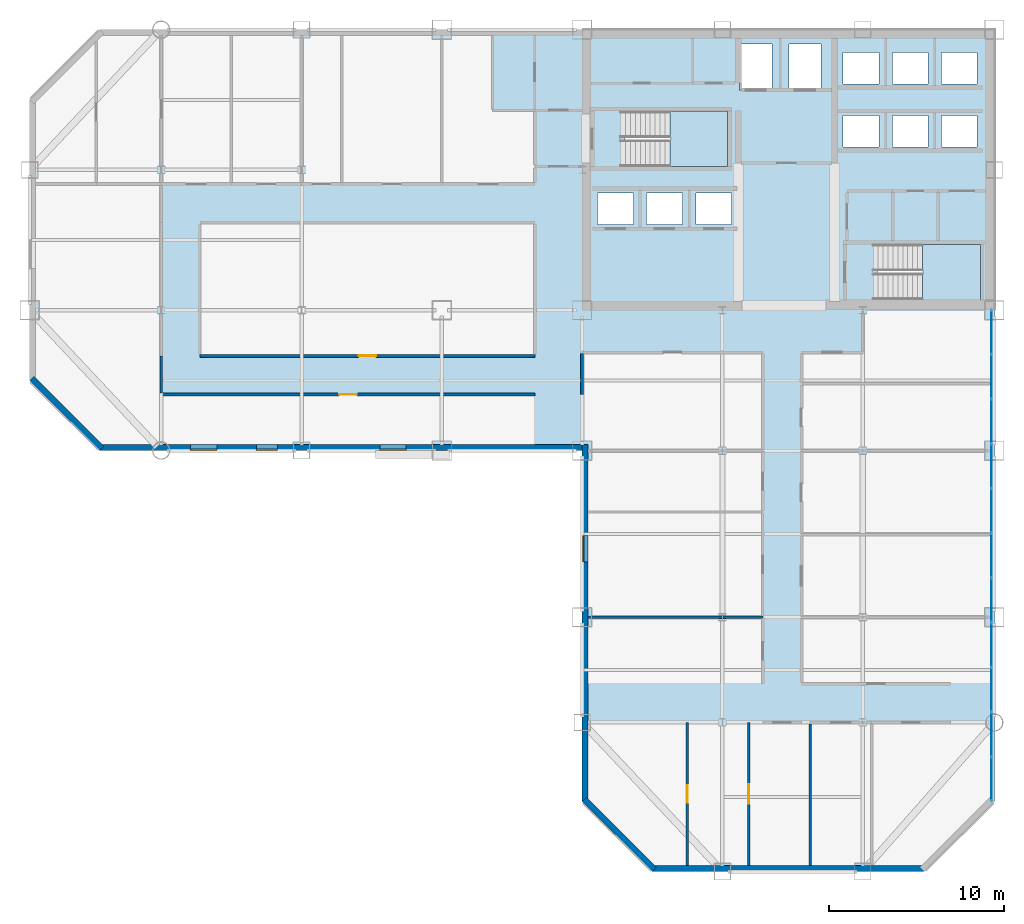
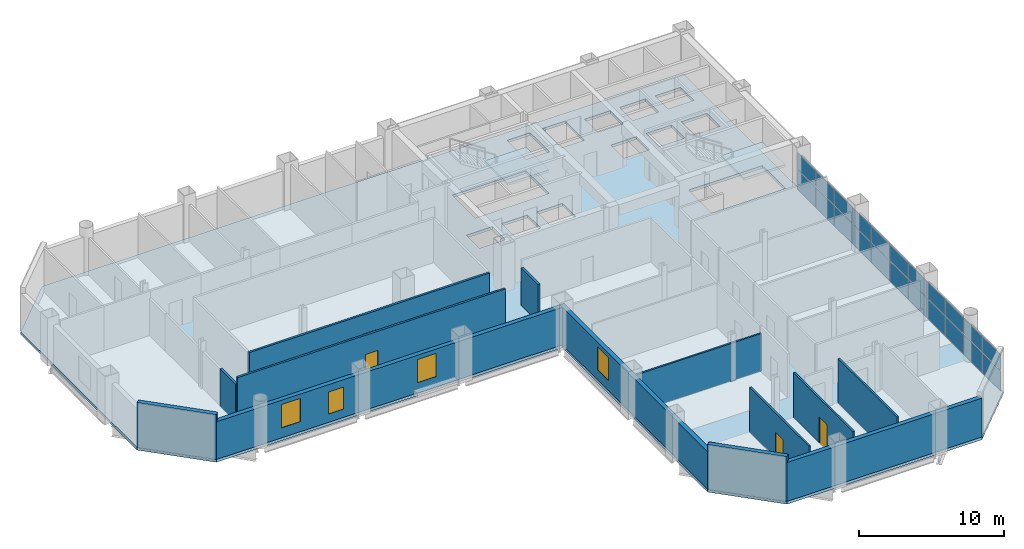
# One storey, part 11 of 16: 22 plates, 13 walls, 4 doors, 4 windows, 3 slabs, 8 openings, 3 elements without a shape of their own.
"""IFC4 building model written with IfcOpenShell, lengths in metres."""

from ifc_helpers import new_model, si_unit, direction, frame, frame_2d, origin, origin_2d, place, context, subcontext, project, spatial, polyline, rectangle, outline, extrude, material, layer, layer_set, type_object, element, fill, aggregate, save


model = new_model("IFC4")

# Units and contexts
model_context = context("Model", 3, precision=1e-05, world=origin(), true_north=direction((0.0, 1.0)))
body_context = subcontext(model_context, "Body", "Model", "MODEL_VIEW")
ifc_project = project(units=[si_unit("LENGTHUNIT", "METRE"), si_unit("AREAUNIT", "SQUARE_METRE"), si_unit("VOLUMEUNIT", "CUBIC_METRE"), si_unit("PLANEANGLEUNIT", "RADIAN"), si_unit("MASSUNIT", "GRAM", prefix="KILO")], contexts=[model_context])

# Site, building, storey
site_placement = place(None, origin())
site = spatial("IfcSite", under=ifc_project, at=site_placement, CompositionType="ELEMENT")
building_placement = place(site_placement, origin())
building = spatial("IfcBuilding", under=site, at=building_placement, Name="Qianrong Seaharbour Tower", CompositionType="ELEMENT")
storey_placement = place(building_placement, frame((0.0, 0.0, 127.0)))
storey = spatial("IfcBuildingStorey", under=building, at=storey_placement, Name="L30", CompositionType="ELEMENT", Elevation=127.0)

# Curtain wall, plates
ifc_material_1 = material(Name="Anodised aluminium 6063-T6 and laminated low-e glass", Category="aluminium")
ifc_layer_1 = layer(ifc_material_1, 0.195068359375)
ifc_layer_set_1 = layer_set([ifc_layer_1], Name="Anodised aluminium 6063-T6 and laminated low-e glass")
curtain_wall_type = type_object("IfcCurtainWallType", Name="CW-SYS-3", PredefinedType="NOTDEFINED", material=ifc_layer_set_1)
curtain_wall_placement = place(storey_placement, origin())
curtain_wall = element("IfcCurtainWall", 1, at=curtain_wall_placement, inside=storey, type_object=curtain_wall_type, Name="L30 Sky-Garden Wintergarden Curtain Wall EAST_WING", PredefinedType="NOTDEFINED")
ifc_material_2 = material(Name="Laminated solar-control low-e glass", Category="glass")
ifc_layer_2 = layer(ifc_material_2, 0.031982421875)
ifc_layer_set_2 = layer_set([ifc_layer_2], Name="Laminated solar-control low-e glass")
plate_type = type_object("IfcPlateType", Name="CW-PAN-VISION-32", PredefinedType="CURTAIN_PANEL", material=ifc_layer_set_2)
plate_1_placement = place(storey_placement, frame((63.830078125, 34.757568359375, 0.06494140625), z_axis=(0.0, 0.0, 1.0), x_axis=(0.0, -1.0, 0.0)))
plate_1 = element("IfcPlate", 2, at=plate_1_placement, type_object=plate_type, Name="CW-3 panel 1.1", PredefinedType="CURTAIN_PANEL", context=body_context, shape_type="SweptSolid", body=[
    extrude(rectangle(XDim=2.445068359375, YDim=0.031982421875, at=origin_2d()), origin(), (0.0, 0.0, 1.0), 1.67626953125),
])
plate_2_placement = place(storey_placement, frame((63.830078125, 34.757568359375, 1.80615234375), z_axis=(0.0, 0.0, 1.0), x_axis=(0.0, -1.0, 0.0)))
plate_2 = element("IfcPlate", 3, at=plate_2_placement, type_object=plate_type, Name="CW-3 panel 1.2", PredefinedType="CURTAIN_PANEL", context=body_context, shape_type="SweptSolid", body=[
    extrude(rectangle(XDim=2.445068359375, YDim=0.031982421875, at=origin_2d()), origin(), (0.0, 0.0, 1.0), 1.353759765625),
])
plate_3_placement = place(storey_placement, frame((63.830078125, 32.22509765625, 0.06494140625), z_axis=(0.0, 0.0, 1.0), x_axis=(0.0, -1.0, 0.0)))
plate_3 = element("IfcPlate", 4, at=plate_3_placement, type_object=plate_type, Name="CW-3 panel 2.1", PredefinedType="CURTAIN_PANEL", context=body_context, shape_type="SweptSolid", body=[
    extrude(rectangle(XDim=2.47998046875, YDim=0.031982421875, at=origin_2d()), origin(), (0.0, 0.0, 1.0), 1.67626953125),
])
plate_4_placement = place(storey_placement, frame((63.830078125, 32.22509765625, 1.80615234375), z_axis=(0.0, 0.0, 1.0), x_axis=(0.0, -1.0, 0.0)))
plate_4 = element("IfcPlate", 5, at=plate_4_placement, type_object=plate_type, Name="CW-3 panel 2.2", PredefinedType="CURTAIN_PANEL", context=body_context, shape_type="SweptSolid", body=[
    extrude(rectangle(XDim=2.47998046875, YDim=0.031982421875, at=origin_2d()), origin(), (0.0, 0.0, 1.0), 1.353759765625),
])
plate_5_placement = place(storey_placement, frame((63.830078125, 29.675048828125, 0.06494140625), z_axis=(0.0, 0.0, 1.0), x_axis=(0.0, -1.0, 0.0)))
plate_5 = element("IfcPlate", 6, at=plate_5_placement, type_object=plate_type, Name="CW-3 panel 3.1", PredefinedType="CURTAIN_PANEL", context=body_context, shape_type="SweptSolid", body=[
    extrude(rectangle(XDim=2.47998046875, YDim=0.031982421875, at=origin_2d()), origin(), (0.0, 0.0, 1.0), 1.67626953125),
])
plate_6_placement = place(storey_placement, frame((63.830078125, 29.675048828125, 1.80615234375), z_axis=(0.0, 0.0, 1.0), x_axis=(0.0, -1.0, 0.0)))
plate_6 = element("IfcPlate", 7, at=plate_6_placement, type_object=plate_type, Name="CW-3 panel 3.2", PredefinedType="CURTAIN_PANEL", context=body_context, shape_type="SweptSolid", body=[
    extrude(rectangle(XDim=2.47998046875, YDim=0.031982421875, at=origin_2d()), origin(), (0.0, 0.0, 1.0), 1.353759765625),
])
plate_7_placement = place(storey_placement, frame((63.830078125, 27.125, 0.06494140625), z_axis=(0.0, 0.0, 1.0), x_axis=(0.0, -1.0, 0.0)))
plate_7 = element("IfcPlate", 8, at=plate_7_placement, type_object=plate_type, Name="CW-3 panel 4.1", PredefinedType="CURTAIN_PANEL", context=body_context, shape_type="SweptSolid", body=[
    extrude(rectangle(XDim=2.47998046875, YDim=0.031982421875, at=origin_2d()), origin(), (0.0, 0.0, 1.0), 1.67626953125),
])
plate_8_placement = place(storey_placement, frame((63.830078125, 27.125, 1.80615234375), z_axis=(0.0, 0.0, 1.0), x_axis=(0.0, -1.0, 0.0)))
plate_8 = element("IfcPlate", 9, at=plate_8_placement, type_object=plate_type, Name="CW-3 panel 4.2", PredefinedType="CURTAIN_PANEL", context=body_context, shape_type="SweptSolid", body=[
    extrude(rectangle(XDim=2.47998046875, YDim=0.031982421875, at=origin_2d()), origin(), (0.0, 0.0, 1.0), 1.353759765625),
])
plate_9_placement = place(storey_placement, frame((63.830078125, 24.574951171875, 0.06494140625), z_axis=(0.0, 0.0, 1.0), x_axis=(0.0, -1.0, 0.0)))
plate_9 = element("IfcPlate", 10, at=plate_9_placement, type_object=plate_type, Name="CW-3 panel 5.1", PredefinedType="CURTAIN_PANEL", context=body_context, shape_type="SweptSolid", body=[
    extrude(rectangle(XDim=2.47998046875, YDim=0.031982421875, at=origin_2d()), origin(), (0.0, 0.0, 1.0), 1.67626953125),
])
plate_10_placement = place(storey_placement, frame((63.830078125, 24.574951171875, 1.80615234375), z_axis=(0.0, 0.0, 1.0), x_axis=(0.0, -1.0, 0.0)))
plate_10 = element("IfcPlate", 11, at=plate_10_placement, type_object=plate_type, Name="CW-3 panel 5.2", PredefinedType="CURTAIN_PANEL", context=body_context, shape_type="SweptSolid", body=[
    extrude(rectangle(XDim=2.47998046875, YDim=0.031982421875, at=origin_2d()), origin(), (0.0, 0.0, 1.0), 1.353759765625),
])
plate_11_placement = place(storey_placement, frame((63.830078125, 22.02490234375, 0.06494140625), z_axis=(0.0, 0.0, 1.0), x_axis=(0.0, -1.0, 0.0)))
plate_11 = element("IfcPlate", 12, at=plate_11_placement, type_object=plate_type, Name="CW-3 panel 6.1", PredefinedType="CURTAIN_PANEL", context=body_context, shape_type="SweptSolid", body=[
    extrude(rectangle(XDim=2.47998046875, YDim=0.031982421875, at=origin_2d()), origin(), (0.0, 0.0, 1.0), 1.67626953125),
])
plate_12_placement = place(storey_placement, frame((63.830078125, 22.02490234375, 1.80615234375), z_axis=(0.0, 0.0, 1.0), x_axis=(0.0, -1.0, 0.0)))
plate_12 = element("IfcPlate", 13, at=plate_12_placement, type_object=plate_type, Name="CW-3 panel 6.2", PredefinedType="CURTAIN_PANEL", context=body_context, shape_type="SweptSolid", body=[
    extrude(rectangle(XDim=2.47998046875, YDim=0.031982421875, at=origin_2d()), origin(), (0.0, 0.0, 1.0), 1.353759765625),
])
plate_13_placement = place(storey_placement, frame((63.830078125, 19.47509765625, 0.06494140625), z_axis=(0.0, 0.0, 1.0), x_axis=(0.0, -1.0, 0.0)))
plate_13 = element("IfcPlate", 14, at=plate_13_placement, type_object=plate_type, Name="CW-3 panel 7.1", PredefinedType="CURTAIN_PANEL", context=body_context, shape_type="SweptSolid", body=[
    extrude(rectangle(XDim=2.47998046875, YDim=0.031982421875, at=origin_2d()), origin(), (0.0, 0.0, 1.0), 1.67626953125),
])
plate_14_placement = place(storey_placement, frame((63.830078125, 19.47509765625, 1.80615234375), z_axis=(0.0, 0.0, 1.0), x_axis=(0.0, -1.0, 0.0)))
plate_14 = element("IfcPlate", 15, at=plate_14_placement, type_object=plate_type, Name="CW-3 panel 7.2", PredefinedType="CURTAIN_PANEL", context=body_context, shape_type="SweptSolid", body=[
    extrude(rectangle(XDim=2.47998046875, YDim=0.031982421875, at=origin_2d()), origin(), (0.0, 0.0, 1.0), 1.353759765625),
])
plate_15_placement = place(storey_placement, frame((63.830078125, 16.925048828125, 0.06494140625), z_axis=(0.0, 0.0, 1.0), x_axis=(0.0, -1.0, 0.0)))
plate_15 = element("IfcPlate", 16, at=plate_15_placement, type_object=plate_type, Name="CW-3 panel 8.1", PredefinedType="CURTAIN_PANEL", context=body_context, shape_type="SweptSolid", body=[
    extrude(rectangle(XDim=2.47998046875, YDim=0.031982421875, at=origin_2d()), origin(), (0.0, 0.0, 1.0), 1.67626953125),
])
plate_16_placement = place(storey_placement, frame((63.830078125, 16.925048828125, 1.80615234375), z_axis=(0.0, 0.0, 1.0), x_axis=(0.0, -1.0, 0.0)))
plate_16 = element("IfcPlate", 17, at=plate_16_placement, type_object=plate_type, Name="CW-3 panel 8.2", PredefinedType="CURTAIN_PANEL", context=body_context, shape_type="SweptSolid", body=[
    extrude(rectangle(XDim=2.47998046875, YDim=0.031982421875, at=origin_2d()), origin(), (0.0, 0.0, 1.0), 1.353759765625),
])
plate_17_placement = place(storey_placement, frame((63.830078125, 14.375, 0.06494140625), z_axis=(0.0, 0.0, 1.0), x_axis=(0.0, -1.0, 0.0)))
plate_17 = element("IfcPlate", 18, at=plate_17_placement, type_object=plate_type, Name="CW-3 panel 9.1", PredefinedType="CURTAIN_PANEL", context=body_context, shape_type="SweptSolid", body=[
    extrude(rectangle(XDim=2.47998046875, YDim=0.031982421875, at=origin_2d()), origin(), (0.0, 0.0, 1.0), 1.67626953125),
])
plate_18_placement = place(storey_placement, frame((63.830078125, 14.375, 1.80615234375), z_axis=(0.0, 0.0, 1.0), x_axis=(0.0, -1.0, 0.0)))
plate_18 = element("IfcPlate", 19, at=plate_18_placement, type_object=plate_type, Name="CW-3 panel 9.2", PredefinedType="CURTAIN_PANEL", context=body_context, shape_type="SweptSolid", body=[
    extrude(rectangle(XDim=2.47998046875, YDim=0.031982421875, at=origin_2d()), origin(), (0.0, 0.0, 1.0), 1.353759765625),
])
plate_19_placement = place(storey_placement, frame((63.830078125, 11.824951171875, 0.06494140625), z_axis=(0.0, 0.0, 1.0), x_axis=(0.0, -1.0, 0.0)))
plate_19 = element("IfcPlate", 20, at=plate_19_placement, type_object=plate_type, Name="CW-3 panel 10.1", PredefinedType="CURTAIN_PANEL", context=body_context, shape_type="SweptSolid", body=[
    extrude(rectangle(XDim=2.47998046875, YDim=0.031982421875, at=origin_2d()), origin(), (0.0, 0.0, 1.0), 1.67626953125),
])
plate_20_placement = place(storey_placement, frame((63.830078125, 11.824951171875, 1.80615234375), z_axis=(0.0, 0.0, 1.0), x_axis=(0.0, -1.0, 0.0)))
plate_20 = element("IfcPlate", 21, at=plate_20_placement, type_object=plate_type, Name="CW-3 panel 10.2", PredefinedType="CURTAIN_PANEL", context=body_context, shape_type="SweptSolid", body=[
    extrude(rectangle(XDim=2.47998046875, YDim=0.031982421875, at=origin_2d()), origin(), (0.0, 0.0, 1.0), 1.353759765625),
])
plate_21_placement = place(storey_placement, frame((63.830078125, 9.29248046875, 0.06494140625), z_axis=(0.0, 0.0, 1.0), x_axis=(0.0, -1.0, 0.0)))
plate_21 = element("IfcPlate", 22, at=plate_21_placement, type_object=plate_type, Name="CW-3 panel 11.1", PredefinedType="CURTAIN_PANEL", context=body_context, shape_type="SweptSolid", body=[
    extrude(rectangle(XDim=2.445068359375, YDim=0.031982421875, at=origin_2d()), origin(), (0.0, 0.0, 1.0), 1.67626953125),
])
plate_22_placement = place(storey_placement, frame((63.830078125, 9.29248046875, 1.80615234375), z_axis=(0.0, 0.0, 1.0), x_axis=(0.0, -1.0, 0.0)))
plate_22 = element("IfcPlate", 23, at=plate_22_placement, type_object=plate_type, Name="CW-3 panel 11.2", PredefinedType="CURTAIN_PANEL", context=body_context, shape_type="SweptSolid", body=[
    extrude(rectangle(XDim=2.445068359375, YDim=0.031982421875, at=origin_2d()), origin(), (0.0, 0.0, 1.0), 1.353759765625),
])
aggregate(curtain_wall, [plate_1, plate_2, plate_3, plate_4, plate_5, plate_6, plate_7, plate_8, plate_9, plate_10, plate_11, plate_12, plate_13, plate_14, plate_15, plate_16, plate_17, plate_18, plate_19, plate_20, plate_21, plate_22])

# Stair, slab
ifc_material_3 = material(Name="Concrete C50/60", Category="concrete")
stair_type = type_object("IfcStairType", Name="STAIR-DOGLEG-1500-R22", PredefinedType="HALF_TURN_STAIR", material=ifc_material_3)
stair_1_placement = place(storey_placement, origin())
stair_1 = element("IfcStair", 24, at=stair_1_placement, inside=storey, type_object=stair_type, Name="L30 Protected Escape Stair ST-1", PredefinedType="HALF_TURN_STAIR")
ifc_layer_3 = layer(ifc_material_3, 0.199951171875)
ifc_layer_set_3 = layer_set([ifc_layer_3], Name="Concrete C50/60")
slab_type_1 = type_object("IfcSlabType", Name="SLAB-STAIR-LANDING-200", PredefinedType="LANDING", material=ifc_layer_set_3)
slab_1_placement = place(storey_placement, frame((0.0, 0.0, 1.800048828125)))
slab_1 = element("IfcSlab", 25, at=slab_1_placement, type_object=slab_type_1, Name="ST-1 landing 1", PredefinedType="LANDING", context=body_context, shape_type="SweptSolid", body=[
    extrude(outline(polyline([(45.5, 44.199951171875), (48.800048828125, 44.199951171875), (48.800048828125, 47.35009765625), (45.5, 47.35009765625), (45.5, 44.199951171875)])), origin(), (0.0, 0.0, 1.0), 0.199951171875),
])
aggregate(stair_1, [slab_1])

stair_2_placement = place(storey_placement, origin())
stair_2 = element("IfcStair", 26, at=stair_2_placement, inside=storey, type_object=stair_type, Name="L30 Protected Escape Stair ST-2", PredefinedType="HALF_TURN_STAIR")
slab_2_placement = place(storey_placement, frame((0.0, 0.0, 1.800048828125)))
slab_2 = element("IfcSlab", 27, at=slab_2_placement, type_object=slab_type_1, Name="ST-2 landing 1", PredefinedType="LANDING", context=body_context, shape_type="SweptSolid", body=[
    extrude(outline(polyline([(59.89990234375, 36.60009765625), (63.199951171875, 36.60009765625), (63.199951171875, 39.75), (59.89990234375, 39.75), (59.89990234375, 36.60009765625)])), origin(), (0.0, 0.0, 1.0), 0.199951171875),
])
aggregate(stair_2, [slab_2])

# Slab
ifc_layer_4 = layer(ifc_material_3, 0.235107421875)
ifc_layer_set_4 = layer_set([ifc_layer_4], Name="Concrete C50/60")
slab_type_2 = type_object("IfcSlabType", Name="SLAB-Z2-235", PredefinedType="FLOOR", material=ifc_layer_set_4)
slab_3_placement = place(storey_placement, frame((0.0, 0.0, -0.235107421875)))
element("IfcSlab", 28, at=slab_3_placement, inside=storey, type_object=slab_type_2, Name="L30 Structural Floor Slab", PredefinedType="FLOOR", context=body_context, shape_type="SweptSolid", body=[
    extrude(outline(polyline([(44.5, 4.0), (60.0, 4.0), (64.0, 8.0), (64.0, 52.0), (13.0, 52.0), (9.0, 48.0), (9.0, 32.0), (13.0, 28.0), (40.5, 28.0), (40.5, 8.0), (44.5, 4.0)]), holes=[polyline([(42.93994140625, 44.199951171875), (42.93994140625, 47.35009765625), (48.800048828125, 47.35009765625), (48.800048828125, 44.199951171875), (42.93994140625, 44.199951171875)]), polyline([(57.340087890625, 36.60009765625), (57.340087890625, 39.75), (63.199951171875, 39.75), (63.199951171875, 36.60009765625), (57.340087890625, 36.60009765625)]), polyline([(49.47998046875, 48.530029296875), (49.47998046875, 51.169921875), (51.320068359375, 51.169921875), (51.320068359375, 48.530029296875), (49.47998046875, 48.530029296875)]), polyline([(52.280029296875, 48.530029296875), (52.280029296875, 51.169921875), (54.1201171875, 51.169921875), (54.1201171875, 48.530029296875), (52.280029296875, 48.530029296875)]), polyline([(41.3798828125, 40.89990234375), (41.3798828125, 42.699951171875), (43.419921875, 42.699951171875), (43.419921875, 40.89990234375), (41.3798828125, 40.89990234375)]), polyline([(44.179931640625, 40.89990234375), (44.179931640625, 42.699951171875), (46.219970703125, 42.699951171875), (46.219970703125, 40.89990234375), (44.179931640625, 40.89990234375)]), polyline([(46.97998046875, 40.89990234375), (46.97998046875, 42.699951171875), (49.02001953125, 42.699951171875), (49.02001953125, 40.89990234375), (46.97998046875, 40.89990234375)]), polyline([(55.3798828125, 45.300048828125), (55.3798828125, 47.10009765625), (57.419921875, 47.10009765625), (57.419921875, 45.300048828125), (55.3798828125, 45.300048828125)]), polyline([(58.179931640625, 45.300048828125), (58.179931640625, 47.10009765625), (60.219970703125, 47.10009765625), (60.219970703125, 45.300048828125), (58.179931640625, 45.300048828125)]), polyline([(60.97998046875, 45.300048828125), (60.97998046875, 47.10009765625), (63.02001953125, 47.10009765625), (63.02001953125, 45.300048828125), (60.97998046875, 45.300048828125)]), polyline([(55.3798828125, 48.89990234375), (55.3798828125, 50.699951171875), (57.419921875, 50.699951171875), (57.419921875, 48.89990234375), (55.3798828125, 48.89990234375)]), polyline([(58.179931640625, 48.89990234375), (58.179931640625, 50.699951171875), (60.219970703125, 50.699951171875), (60.219970703125, 48.89990234375), (58.179931640625, 48.89990234375)]), polyline([(60.97998046875, 48.89990234375), (60.97998046875, 50.699951171875), (63.02001953125, 50.699951171875), (63.02001953125, 48.89990234375), (60.97998046875, 48.89990234375)])]), origin(), (0.0, 0.0, 1.0), 0.235107421875),
])

# Wall, opening, door
ifc_material_4 = material(Name="Fire-rated acoustic gypsum board partition")
ifc_layer_5 = layer(ifc_material_4, 0.1650390625)
ifc_layer_set_5 = layer_set([ifc_layer_5], Name="Fire-rated acoustic gypsum board partition")
wall_type_1 = type_object("IfcWallType", Name="WALL-CORR-PART-165", PredefinedType="PARTITIONING", material=ifc_layer_set_5)
wall_1_placement = place(storey_placement, frame((37.800048828125, 31.199951171875, 0.0), z_axis=(0.0, 0.0, 1.0), x_axis=(-1.0, 0.0, 0.0)))
wall_1 = element("IfcWall", 29, at=wall_1_placement, inside=storey, type_object=wall_type_1, Name="L30 Interior Partition Wall 017", PredefinedType="PARTITIONING", context=body_context, shape_type="SweptSolid", body=[
    extrude(rectangle(XDim=21.300048828125, YDim=0.1650390625, at=frame_2d((10.64990234375, 0.0))), origin(), (0.0, 0.0, 1.0), 3.764892578125),
])
opening_1_placement = place(wall_1_placement, frame((10.14990234375, 0.0, 0.0)))
opening_1 = element("IfcOpeningElement", 30, at=opening_1_placement, cuts=wall_1, Name="Opening DO-01", PredefinedType="OPENING", context=body_context, shape_type="SweptSolid", body=[
    extrude(rectangle(XDim=1.0, YDim=2.14990234375, at=frame_2d((0.5, 1.074951171875))), frame((0.0, 0.092529296875, 0.0), z_axis=(0.0, -1.0, 0.0), x_axis=(1.0, 0.0, 0.0)), (0.0, 0.0, 1.0), 0.18505859375),
])
ifc_material_5 = material(Name="Acoustic timber and galvanized steel fire door assembly", Category="steel")
door_type_1 = type_object("IfcDoorType", Name="DOOR-OFFICE-1000x2150", OperationType="NOTDEFINED", PredefinedType="DOOR", material=ifc_material_5)
door_1_placement = place(opening_1_placement, origin())
door_1 = element("IfcDoor", 31, at=door_1_placement, inside=storey, type_object=door_type_1, Name="L30 Open-Plan Office Door", OperationType="SINGLE_SWING_LEFT", OverallHeight=2.14990234375, OverallWidth=1.0, PredefinedType="DOOR", context=body_context, shape_type="SweptSolid", body=[
    extrude(rectangle(XDim=1.0, YDim=2.14990234375, at=frame_2d((0.5, 1.074951171875))), frame((0.0, 0.02490234375, 0.0), z_axis=(0.0, -1.0, 0.0), x_axis=(1.0, 0.0, 0.0)), (0.0, 0.0, 1.0), 0.050048828125),
])
fill(opening_1, door_1)

# Wall
wall_2_placement = place(storey_placement, frame((16.5, 31.2744140625, 0.0), z_axis=(0.0, 0.0, 1.0), x_axis=(0.0, 1.0, 0.0)))
element("IfcWall", 32, at=wall_2_placement, inside=storey, type_object=wall_type_1, Name="L30 Interior Partition Wall 018", PredefinedType="PARTITIONING", context=body_context, shape_type="SweptSolid", body=[
    extrude(rectangle(XDim=2.12548828125, YDim=0.1650390625, at=frame_2d((1.062744140625, 0.0))), origin(), (0.0, 0.0, 1.0), 3.156982421875),
])

# Wall, opening, door
wall_3_placement = place(storey_placement, frame((18.699951171875, 33.39990234375, 0.0), z_axis=(0.0, 0.0, 1.0), x_axis=(1.0, 0.0, 0.0)))
wall_3 = element("IfcWall", 33, at=wall_3_placement, inside=storey, type_object=wall_type_1, Name="L30 Interior Partition Wall 019", PredefinedType="PARTITIONING", context=body_context, shape_type="SweptSolid", body=[
    extrude(rectangle(XDim=19.10009765625, YDim=0.1650390625, at=frame_2d((9.550048828125, 0.0))), origin(), (0.0, 0.0, 1.0), 3.764892578125),
])
opening_2_placement = place(wall_3_placement, frame((9.050048828125, 0.0, 0.0)))
opening_2 = element("IfcOpeningElement", 34, at=opening_2_placement, cuts=wall_3, Name="Opening DO-01", PredefinedType="OPENING", context=body_context, shape_type="SweptSolid", body=[
    extrude(rectangle(XDim=1.0, YDim=2.14990234375, at=frame_2d((0.5, 1.074951171875))), frame((0.0, 0.092529296875, 0.0), z_axis=(0.0, -1.0, 0.0), x_axis=(1.0, 0.0, 0.0)), (0.0, 0.0, 1.0), 0.18505859375),
])
door_2_placement = place(opening_2_placement, origin())
door_2 = element("IfcDoor", 35, at=door_2_placement, inside=storey, type_object=door_type_1, Name="L30 West Wing Open-Plan Office Door", OperationType="SINGLE_SWING_RIGHT", OverallHeight=2.14990234375, OverallWidth=1.0, PredefinedType="DOOR", context=body_context, shape_type="SweptSolid", body=[
    extrude(rectangle(XDim=1.0, YDim=2.14990234375, at=frame_2d((0.5, 1.074951171875))), frame((0.0, 0.02490234375, 0.0), z_axis=(0.0, -1.0, 0.0), x_axis=(1.0, 0.0, 0.0)), (0.0, 0.0, 1.0), 0.050048828125),
])
fill(opening_2, door_2)

# Wall
wall_4_placement = place(storey_placement, frame((40.5, 33.525390625, 0.0), z_axis=(0.0, 0.0, 1.0), x_axis=(0.0, -1.0, 0.0)))
element("IfcWall", 36, at=wall_4_placement, inside=storey, type_object=wall_type_1, Name="L30 Interior Partition Wall 031", PredefinedType="PARTITIONING", context=body_context, shape_type="SweptSolid", body=[
    extrude(rectangle(XDim=2.325439453125, YDim=0.1650390625, at=frame_2d((1.16259765625, 0.0))), origin(), (0.0, 0.0, 1.0), 3.156982421875),
])

# Wall, opening, window
ifc_material_6 = material(Name="Unitised buff brick on Precast concrete C45/55", Category="masonry")
ifc_layer_6 = layer(ifc_material_6, 0.340087890625)
ifc_layer_set_6 = layer_set([ifc_layer_6], Name="Unitised buff brick on Precast concrete C45/55")
wall_type_2 = type_object("IfcWallType", Name="WALL-EXT-BRICK-BUFF-340", PredefinedType="SOLIDWALL", material=ifc_layer_set_6)
wall_5_placement = place(storey_placement, frame((40.669921875, 8.0, 0.0), z_axis=(0.0, 0.0, 1.0), x_axis=(0.0, 1.0, 0.0)))
wall_5 = element("IfcWall", 37, at=wall_5_placement, inside=storey, type_object=wall_type_2, Name="L30 Exterior Masonry Facade Wall REENTRANT_WEST", PredefinedType="SOLIDWALL", context=body_context, shape_type="SweptSolid", body=[
    extrude(rectangle(XDim=20.340087890625, YDim=0.340087890625, at=frame_2d((10.169921875, 0.0))), origin(), (0.0, 0.0, 1.0), 3.1650390625),
])
opening_3_placement = place(wall_5_placement, frame((13.64990234375, 0.0, 0.85009765625)))
opening_3 = element("IfcOpeningElement", 38, at=opening_3_placement, cuts=wall_5, Name="Opening WN-03", PredefinedType="OPENING", context=body_context, shape_type="SweptSolid", body=[
    extrude(rectangle(XDim=1.5, YDim=1.949951171875, at=frame_2d((0.75, 0.97509765625))), frame((0.0, 0.18017578125, 0.0), z_axis=(0.0, -1.0, 0.0), x_axis=(1.0, 0.0, 0.0)), (0.0, 0.0, 1.0), 0.360107421875),
])
ifc_material_7 = material(Name="Insulated low-e double glazing in thermally broken aluminium 6063-T6 frame", Category="aluminium")
window_type_1 = type_object("IfcWindowType", Name="WIN-PUNCH-1500x1950", PartitioningType="DOUBLE_PANEL_VERTICAL", PredefinedType="WINDOW", material=ifc_material_7)
window_1_placement = place(opening_3_placement, origin())
window_1 = element("IfcWindow", 39, at=window_1_placement, inside=storey, type_object=window_type_1, Name="L30 Deep-Set Punched Window 00.04", OverallHeight=1.949951171875, OverallWidth=1.5, PartitioningType="DOUBLE_PANEL_VERTICAL", PredefinedType="WINDOW", context=body_context, shape_type="SweptSolid", body=[
    extrude(rectangle(XDim=1.5, YDim=1.949951171875, at=frame_2d((0.75, 0.97509765625))), frame((0.0, 0.150146484375, 0.0), z_axis=(0.0, -1.0, 0.0), x_axis=(1.0, 0.0, 0.0)), (0.0, 0.0, 1.0), 0.06005859375),
])
fill(opening_3, window_1)

# Wall, openings, windows
wall_6_placement = place(storey_placement, frame((40.52001953125, 28.169921875, 0.0), z_axis=(0.0, 0.0, 1.0), x_axis=(-1.0, 0.0, 0.0)))
wall_6 = element("IfcWall", 40, at=wall_6_placement, inside=storey, type_object=wall_type_2, Name="L30 Exterior Masonry Facade Wall HARBOUR_RIBBON", PredefinedType="SOLIDWALL", context=body_context, shape_type="SweptSolid", body=[
    extrude(rectangle(XDim=27.52001953125, YDim=0.340087890625, at=frame_2d((13.760009765625, 0.0))), origin(), (0.0, 0.0, 1.0), 3.1650390625),
])
opening_4_placement = place(wall_6_placement, frame((10.050048828125, 0.0, 0.85009765625)))
opening_4 = element("IfcOpeningElement", 41, at=opening_4_placement, cuts=wall_6, Name="Opening WN-03", PredefinedType="OPENING", context=body_context, shape_type="SweptSolid", body=[
    extrude(rectangle(XDim=1.5, YDim=1.949951171875, at=frame_2d((0.75, 0.97509765625))), frame((0.0, 0.18017578125, 0.0), z_axis=(0.0, -1.0, 0.0), x_axis=(1.0, 0.0, 0.0)), (0.0, 0.0, 1.0), 0.360107421875),
])
opening_5_placement = place(wall_6_placement, frame((17.39990234375, 0.0, 0.699951171875)))
opening_5 = element("IfcOpeningElement", 42, at=opening_5_placement, cuts=wall_6, Name="Opening WN-01", PredefinedType="OPENING", context=body_context, shape_type="SweptSolid", body=[
    extrude(rectangle(XDim=1.199951171875, YDim=1.85009765625, at=frame_2d((0.60009765625, 0.925048828125))), frame((0.0, 0.18017578125, 0.0), z_axis=(0.0, -1.0, 0.0), x_axis=(1.0, 0.0, 0.0)), (0.0, 0.0, 1.0), 0.360107421875),
])
opening_6_placement = place(wall_6_placement, frame((20.85009765625, 0.0, 0.85009765625)))
opening_6 = element("IfcOpeningElement", 43, at=opening_6_placement, cuts=wall_6, Name="Opening WN-03", PredefinedType="OPENING", context=body_context, shape_type="SweptSolid", body=[
    extrude(rectangle(XDim=1.5, YDim=1.949951171875, at=frame_2d((0.75, 0.97509765625))), frame((0.0, 0.18017578125, 0.0), z_axis=(0.0, -1.0, 0.0), x_axis=(1.0, 0.0, 0.0)), (0.0, 0.0, 1.0), 0.360107421875),
])
window_type_2 = type_object("IfcWindowType", Name="WIN-PUNCH-1200x1850", PartitioningType="DOUBLE_PANEL_VERTICAL", PredefinedType="WINDOW", material=ifc_material_7)
window_2_placement = place(opening_5_placement, origin())
window_2 = element("IfcWindow", 44, at=window_2_placement, inside=storey, type_object=window_type_2, Name="L30 Deep-Set Punched Window 01.05", OverallHeight=1.85009765625, OverallWidth=1.199951171875, PartitioningType="DOUBLE_PANEL_VERTICAL", PredefinedType="WINDOW", context=body_context, shape_type="SweptSolid", body=[
    extrude(rectangle(XDim=1.199951171875, YDim=1.85009765625, at=frame_2d((0.60009765625, 0.925048828125))), frame((0.0, 0.150146484375, 0.0), z_axis=(0.0, -1.0, 0.0), x_axis=(1.0, 0.0, 0.0)), (0.0, 0.0, 1.0), 0.06005859375),
])
fill(opening_5, window_2)
window_3_placement = place(opening_4_placement, origin())
window_3 = element("IfcWindow", 45, at=window_3_placement, inside=storey, type_object=window_type_1, Name="L30 Deep-Set Punched Window 01.03", OverallHeight=1.949951171875, OverallWidth=1.5, PartitioningType="DOUBLE_PANEL_VERTICAL", PredefinedType="WINDOW", context=body_context, shape_type="SweptSolid", body=[
    extrude(rectangle(XDim=1.5, YDim=1.949951171875, at=frame_2d((0.75, 0.97509765625))), frame((0.0, 0.150146484375, 0.0), z_axis=(0.0, -1.0, 0.0), x_axis=(1.0, 0.0, 0.0)), (0.0, 0.0, 1.0), 0.06005859375),
])
fill(opening_4, window_3)
window_4_placement = place(opening_6_placement, origin())
window_4 = element("IfcWindow", 46, at=window_4_placement, inside=storey, type_object=window_type_1, Name="L30 Deep-Set Punched Window 01.06", OverallHeight=1.949951171875, OverallWidth=1.5, PartitioningType="DOUBLE_PANEL_VERTICAL", PredefinedType="WINDOW", context=body_context, shape_type="SweptSolid", body=[
    extrude(rectangle(XDim=1.5, YDim=1.949951171875, at=frame_2d((0.75, 0.97509765625))), frame((0.0, 0.150146484375, 0.0), z_axis=(0.0, -1.0, 0.0), x_axis=(1.0, 0.0, 0.0)), (0.0, 0.0, 1.0), 0.06005859375),
])
fill(opening_6, window_4)

# Walls
wall_7_placement = place(storey_placement, frame((13.1201171875, 28.1201171875, 0.0), z_axis=(0.0, 0.0, 1.0), x_axis=(-0.707106781187, 0.707106781187, 0.0)))
element("IfcWall", 47, at=wall_7_placement, inside=storey, type_object=wall_type_2, Name="L30 Exterior Masonry Facade Wall E02", PredefinedType="SOLIDWALL", context=body_context, shape_type="SweptSolid", body=[
    extrude(rectangle(XDim=5.65673828125, YDim=0.340087890625, at=frame_2d((2.828369140625, 0.0))), origin(), (0.0, 0.0, 1.0), 3.764892578125),
])
wall_8_placement = place(storey_placement, frame((60.0, 4.169921875, 0.0), z_axis=(0.0, 0.0, 1.0), x_axis=(-1.0, 0.0, 0.0)))
element("IfcWall", 48, at=wall_8_placement, inside=storey, type_object=wall_type_2, Name="L30 Exterior Masonry Facade Wall SOUTH_TIP", PredefinedType="SOLIDWALL", context=body_context, shape_type="SweptSolid", body=[
    extrude(rectangle(XDim=15.5, YDim=0.340087890625, at=frame_2d((7.75, 0.0))), origin(), (0.0, 0.0, 1.0), 3.264892578125),
])
wall_9_placement = place(storey_placement, frame((44.6201171875, 4.1201171875, 0.0), z_axis=(0.0, 0.0, 1.0), x_axis=(-0.707106781187, 0.707106781187, 0.0)))
element("IfcWall", 49, at=wall_9_placement, inside=storey, type_object=wall_type_2, Name="L30 Exterior Masonry Facade Wall E09", PredefinedType="SOLIDWALL", context=body_context, shape_type="SweptSolid", body=[
    extrude(rectangle(XDim=5.65673828125, YDim=0.340087890625, at=frame_2d((2.828369140625, 0.0))), origin(), (0.0, 0.0, 1.0), 3.764892578125),
])

# Wall, opening, door
ifc_material_8 = material(Name="Acoustic gypsum board stud partition")
ifc_layer_7 = layer(ifc_material_8, 0.14501953125)
ifc_layer_set_7 = layer_set([ifc_layer_7], Name="Acoustic gypsum board stud partition")
wall_type_3 = type_object("IfcWallType", Name="WALL-OFFICE-PART-145", PredefinedType="PARTITIONING", material=ifc_layer_set_7)
wall_10_placement = place(storey_placement, frame((46.5, 12.5, 0.0), z_axis=(0.0, 0.0, 1.0), x_axis=(0.0, -1.0, 0.0)))
wall_10 = element("IfcWall", 50, at=wall_10_placement, inside=storey, type_object=wall_type_3, Name="L30 Interior Partition Wall 063", PredefinedType="PARTITIONING", context=body_context, shape_type="SweptSolid", body=[
    extrude(rectangle(XDim=8.16796875, YDim=0.14501953125, at=frame_2d((4.083984375, 0.0))), origin(), (0.0, 0.0, 1.0), 3.764892578125),
])
opening_7_placement = place(wall_10_placement, frame((3.583984375, 0.0, 0.0)))
opening_7 = element("IfcOpeningElement", 51, at=opening_7_placement, cuts=wall_10, Name="Opening DO-01", PredefinedType="OPENING", context=body_context, shape_type="SweptSolid", body=[
    extrude(rectangle(XDim=1.0, YDim=2.14990234375, at=frame_2d((0.5, 1.074951171875))), frame((0.0, 0.08251953125, 0.0), z_axis=(0.0, -1.0, 0.0), x_axis=(1.0, 0.0, 0.0)), (0.0, 0.0, 1.0), 0.1650390625),
])
door_3_placement = place(opening_7_placement, origin())
door_3 = element("IfcDoor", 52, at=door_3_placement, inside=storey, type_object=door_type_1, Name="L30 Executive Office 1 Door", OperationType="SINGLE_SWING_LEFT", OverallHeight=2.14990234375, OverallWidth=1.0, PredefinedType="DOOR", context=body_context, shape_type="SweptSolid", body=[
    extrude(rectangle(XDim=1.0, YDim=2.14990234375, at=frame_2d((0.5, 1.074951171875))), frame((0.0, 0.02490234375, 0.0), z_axis=(0.0, -1.0, 0.0), x_axis=(1.0, 0.0, 0.0)), (0.0, 0.0, 1.0), 0.050048828125),
])
fill(opening_7, door_3)

wall_11_placement = place(storey_placement, frame((50.0, 12.5, 0.0), z_axis=(0.0, 0.0, 1.0), x_axis=(0.0, -1.0, 0.0)))
wall_11 = element("IfcWall", 53, at=wall_11_placement, inside=storey, type_object=wall_type_3, Name="L30 Interior Partition Wall 064", PredefinedType="PARTITIONING", context=body_context, shape_type="SweptSolid", body=[
    extrude(rectangle(XDim=8.16796875, YDim=0.14501953125, at=frame_2d((4.083984375, 0.0))), origin(), (0.0, 0.0, 1.0), 3.764892578125),
])
opening_8_placement = place(wall_11_placement, frame((3.533935546875, 0.0, 0.0)))
opening_8 = element("IfcOpeningElement", 54, at=opening_8_placement, cuts=wall_11, Name="Opening DM-01", PredefinedType="OPENING", context=body_context, shape_type="SweptSolid", body=[
    extrude(rectangle(XDim=1.10009765625, YDim=2.199951171875, at=frame_2d((0.550048828125, 1.10009765625))), frame((0.0, 0.08251953125, 0.0), z_axis=(0.0, -1.0, 0.0), x_axis=(1.0, 0.0, 0.0)), (0.0, 0.0, 1.0), 0.1650390625),
])
door_type_2 = type_object("IfcDoorType", Name="DOOR-MEET-1100x2200", OperationType="NOTDEFINED", PredefinedType="DOOR", material=ifc_material_5)
door_4_placement = place(opening_8_placement, origin())
door_4 = element("IfcDoor", 55, at=door_4_placement, inside=storey, type_object=door_type_2, Name="L30 Meeting Room 2 Door", OperationType="SINGLE_SWING_RIGHT", OverallHeight=2.199951171875, OverallWidth=1.10009765625, PredefinedType="DOOR", context=body_context, shape_type="SweptSolid", body=[
    extrude(rectangle(XDim=1.10009765625, YDim=2.199951171875, at=frame_2d((0.550048828125, 1.10009765625))), frame((0.0, 0.02490234375, 0.0), z_axis=(0.0, -1.0, 0.0), x_axis=(1.0, 0.0, 0.0)), (0.0, 0.0, 1.0), 0.050048828125),
])
fill(opening_8, door_4)

# Walls
wall_12_placement = place(storey_placement, frame((53.5, 12.425537109375, 0.0), z_axis=(0.0, 0.0, 1.0), x_axis=(0.0, -1.0, 0.0)))
element("IfcWall", 56, at=wall_12_placement, inside=storey, type_object=wall_type_3, Name="L30 Interior Partition Wall 065", PredefinedType="PARTITIONING", context=body_context, shape_type="SweptSolid", body=[
    extrude(rectangle(XDim=8.093505859375, YDim=0.14501953125, at=frame_2d((4.046875, 0.0))), origin(), (0.0, 0.0, 1.0), 3.764892578125),
])
ifc_material_9 = material(Name="Water-resistant cement board sanitary partition")
ifc_layer_8 = layer(ifc_material_9, 0.1298828125)
ifc_layer_set_8 = layer_set([ifc_layer_8], Name="Water-resistant cement board sanitary partition")
wall_type_4 = type_object("IfcWallType", Name="WALL-WET-PART-130", PredefinedType="PARTITIONING", material=ifc_layer_set_8)
wall_13_placement = place(storey_placement, frame((40.83203125, 18.5, 0.0), z_axis=(0.0, 0.0, 1.0), x_axis=(1.0, 0.0, 0.0)))
element("IfcWall", 57, at=wall_13_placement, inside=storey, type_object=wall_type_4, Name="L30 Interior Partition Wall 060", PredefinedType="PARTITIONING", context=body_context, shape_type="SweptSolid", body=[
    extrude(rectangle(XDim=9.968017578125, YDim=0.1298828125, at=frame_2d((4.98388671875, 0.0))), origin(), (0.0, 0.0, 1.0), 3.156982421875),
])

save(model, "model.ifc")
